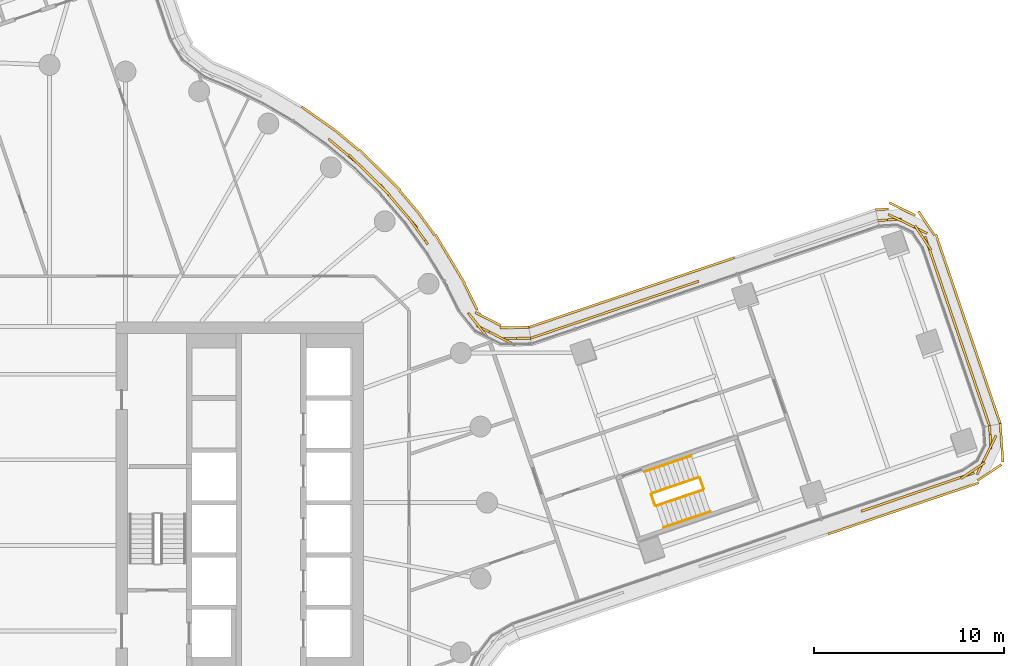
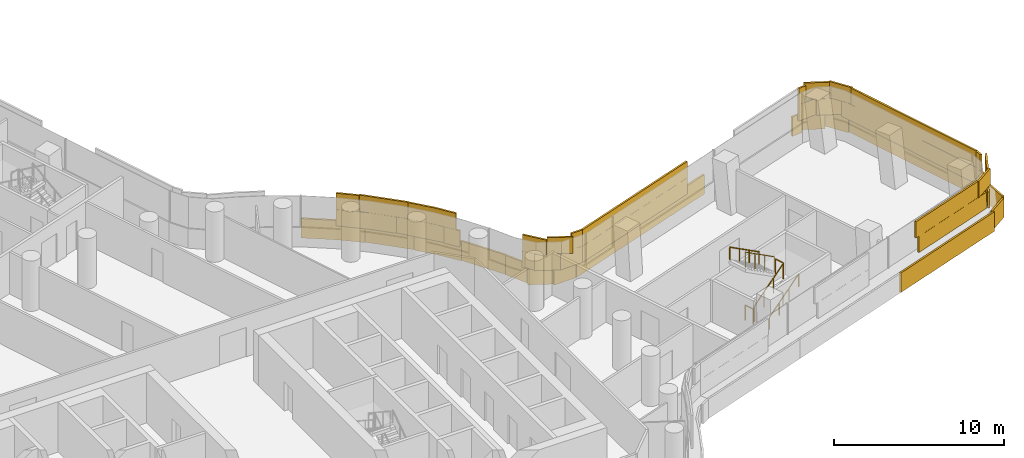
# One storey, part 27 of 29: 6 railings, 4 coverings.
"""IFC4 building model written with IfcOpenShell, lengths in metres."""

from ifc_helpers import new_model, si_unit, direction, frame, origin, origin_2d, place, context, subcontext, project, spatial, rectangle, circle, extrude, material, layer, layer_set, type_object, element, save


model = new_model("IFC4")

# Units and contexts
model_context = context("Model", 3, precision=1e-05, world=origin(), true_north=direction((0.0, 1.0)))
body_context = subcontext(model_context, "Body", "Model", "MODEL_VIEW")
ifc_project = project(units=[si_unit("LENGTHUNIT", "METRE"), si_unit("AREAUNIT", "SQUARE_METRE"), si_unit("VOLUMEUNIT", "CUBIC_METRE"), si_unit("PLANEANGLEUNIT", "RADIAN"), si_unit("MASSUNIT", "GRAM", prefix="KILO")], contexts=[model_context])

# Site, building, storey
site_placement = place(None, origin())
site = spatial("IfcSite", under=ifc_project, at=site_placement, CompositionType="ELEMENT")
building_placement = place(site_placement, origin())
building = spatial("IfcBuilding", under=site, at=building_placement, Name="Tamarind Cross Interchange Tower", CompositionType="ELEMENT")
storey_placement = place(building_placement, frame((0.0, 0.0, 102.25)))
storey = spatial("IfcBuildingStorey", under=building, at=storey_placement, Name="L24", CompositionType="ELEMENT", Elevation=102.25)

# Railings
ifc_material_1 = material(Name="Stair guard")
railing_type_1 = type_object("IfcRailingType", Name="Stair guard", PredefinedType="GUARDRAIL", material=ifc_material_1)
railing_1_placement = place(storey_placement, frame((31.883544921875, -0.173095703125, 0.17041015625)))
element("IfcRailing", 1, at=railing_1_placement, inside=storey, type_object=railing_type_1, Name="L24 ST3 stair guard 1", PredefinedType="GUARDRAIL", context=body_context, shape_type="SweptSolid", body=[
    extrude(circle(Radius=0.02392578125, at=origin_2d()), frame((0.0, 0.0, 1.076171875), z_axis=(0.791646408968, 0.269588544984, 0.548286402878), x_axis=(-0.322362268348, 0.946616378448, 0.0)), (0.0, 0.0, 1.0), 3.10888671875),
    extrude(circle(Radius=0.02099609375, at=origin_2d()), origin(), (0.0, 0.0, 1.0), 1.052001953125),
    extrude(circle(Radius=0.02099609375, at=origin_2d()), frame((0.8203125, 0.279296875, 0.568115234375)), (0.0, 0.0, 1.0), 1.052001953125),
    extrude(circle(Radius=0.02099609375, at=origin_2d()), frame((1.640869140625, 0.558837890625, 1.136474609375)), (0.0, 0.0, 1.0), 1.052001953125),
    extrude(circle(Radius=0.02099609375, at=origin_2d()), frame((2.461181640625, 0.838134765625, 1.70458984375)), (0.0, 0.0, 1.0), 1.052001953125),
])
railing_2_placement = place(storey_placement, frame((34.375732421875, 0.728515625, 1.875)))
element("IfcRailing", 2, at=railing_2_placement, inside=storey, type_object=railing_type_1, Name="L24 ST3 stair guard 2", PredefinedType="GUARDRAIL", context=body_context, shape_type="SweptSolid", body=[
    extrude(circle(Radius=0.02392578125, at=origin_2d()), frame((0.0, 0.0, 1.076171875), z_axis=(-0.322325875568, 0.946628770923, 0.0), x_axis=(-0.946628770923, -0.322325875568, 0.0)), (0.0, 0.0, 1.0), 0.599853515625),
    extrude(circle(Radius=0.02099609375, at=origin_2d()), origin(), (0.0, 0.0, 1.0), 1.052001953125),
    extrude(circle(Radius=0.02099609375, at=origin_2d()), frame((-0.193359375, 0.56787109375, 0.0)), (0.0, 0.0, 1.0), 1.052001953125),
])
railing_3_placement = place(storey_placement, frame((34.118896484375, 1.32763671875, 2.04541015625)))
element("IfcRailing", 3, at=railing_3_placement, inside=storey, type_object=railing_type_1, Name="L24 ST3 stair guard 3", PredefinedType="GUARDRAIL", context=body_context, shape_type="SweptSolid", body=[
    extrude(circle(Radius=0.02392578125, at=origin_2d()), frame((0.0, 0.0, 1.076171875), z_axis=(-0.791646408968, -0.269588544984, 0.548286402878), x_axis=(0.322362268348, -0.946616378448, 0.0)), (0.0, 0.0, 1.0), 3.10888671875),
    extrude(circle(Radius=0.02099609375, at=origin_2d()), origin(), (0.0, 0.0, 1.0), 1.052001953125),
    extrude(circle(Radius=0.02099609375, at=origin_2d()), frame((-0.8203125, -0.279296875, 0.568115234375)), (0.0, 0.0, 1.0), 1.052001953125),
    extrude(circle(Radius=0.02099609375, at=origin_2d()), frame((-1.640869140625, -0.558837890625, 1.136474609375)), (0.0, 0.0, 1.0), 1.052001953125),
    extrude(circle(Radius=0.02099609375, at=origin_2d()), frame((-2.461181640625, -0.838134765625, 1.70458984375)), (0.0, 0.0, 1.0), 1.052001953125),
])
railing_4_placement = place(storey_placement, frame((31.820068359375, -0.141845703125, 0.0)))
element("IfcRailing", 4, at=railing_4_placement, inside=storey, type_object=railing_type_1, Name="L24 ST3 stair guard 4", PredefinedType="GUARDRAIL", context=body_context, shape_type="SweptSolid", body=[
    extrude(circle(Radius=0.02392578125, at=origin_2d()), frame((0.0, 0.0, 1.076171875), z_axis=(-0.32269049844, 0.946504538931, 0.0), x_axis=(-0.946504538931, -0.32269049844, 0.0)), (0.0, 0.0, 1.0), 0.599853515625),
    extrude(circle(Radius=0.02099609375, at=origin_2d()), origin(), (0.0, 0.0, 1.0), 1.052001953125),
    extrude(circle(Radius=0.02099609375, at=origin_2d()), frame((-0.193603515625, 0.56787109375, 0.0)), (0.0, 0.0, 1.0), 1.052001953125),
])
ifc_material_2 = material(Name="Stair handrail")
railing_type_2 = type_object("IfcRailingType", Name="Stair handrail", PredefinedType="HANDRAIL", material=ifc_material_2)
railing_5_placement = place(storey_placement, frame((32.270263671875, -1.30908203125, 0.17041015625)))
element("IfcRailing", 5, at=railing_5_placement, inside=storey, type_object=railing_type_2, Name="L24 ST3 stair handrail 1", PredefinedType="HANDRAIL", context=body_context, shape_type="SweptSolid", body=[
    extrude(circle(Radius=0.02392578125, at=origin_2d()), frame((0.0, 0.0, 0.8759765625), z_axis=(0.791646408968, 0.269588544984, 0.548286402878), x_axis=(-0.322362268348, 0.946616378448, 0.0)), (0.0, 0.0, 1.0), 3.10888671875),
    extrude(circle(Radius=0.02099609375, at=origin_2d()), origin(), (0.0, 0.0, 1.0), 0.851806640625),
    extrude(circle(Radius=0.02099609375, at=origin_2d()), frame((0.8203125, 0.279296875, 0.568115234375)), (0.0, 0.0, 1.0), 0.851806640625),
    extrude(circle(Radius=0.02099609375, at=origin_2d()), frame((1.640869140625, 0.558837890625, 1.136474609375)), (0.0, 0.0, 1.0), 0.851806640625),
    extrude(circle(Radius=0.02099609375, at=origin_2d()), frame((2.461181640625, 0.838134765625, 1.70458984375)), (0.0, 0.0, 1.0), 0.851806640625),
])
railing_6_placement = place(storey_placement, frame((33.732177734375, 2.463623046875, 2.04541015625)))
element("IfcRailing", 6, at=railing_6_placement, inside=storey, type_object=railing_type_2, Name="L24 ST3 stair handrail 2", PredefinedType="HANDRAIL", context=body_context, shape_type="SweptSolid", body=[
    extrude(circle(Radius=0.02392578125, at=origin_2d()), frame((0.0, 0.0, 0.8759765625), z_axis=(-0.791646408968, -0.269588544984, 0.548286402878), x_axis=(0.322362268348, -0.946616378448, 0.0)), (0.0, 0.0, 1.0), 3.10888671875),
    extrude(circle(Radius=0.02099609375, at=origin_2d()), origin(), (0.0, 0.0, 1.0), 0.851806640625),
    extrude(circle(Radius=0.02099609375, at=origin_2d()), frame((-0.8203125, -0.279296875, 0.568115234375)), (0.0, 0.0, 1.0), 0.851806640625),
    extrude(circle(Radius=0.02099609375, at=origin_2d()), frame((-1.640869140625, -0.558837890625, 1.136474609375)), (0.0, 0.0, 1.0), 0.851806640625),
    extrude(circle(Radius=0.02099609375, at=origin_2d()), frame((-2.461181640625, -0.838134765625, 1.70458984375)), (0.0, 0.0, 1.0), 0.851806640625),
])

# Coverings
ifc_material_3 = material(Name="Terracotta", Category="masonry")
ifc_layer = layer(ifc_material_3, 0.1201171875)
ifc_layer_set = layer_set([ifc_layer], Name="Terracotta")
covering_type = type_object("IfcCoveringType", Name="Terracotta baguette screen unit", PredefinedType="MOLDING", material=ifc_layer_set)
covering_1_placement = place(storey_placement, origin())
element("IfcCovering", 7, at=covering_1_placement, inside=storey, type_object=covering_type, Name="SCR-L24-07-02", PredefinedType="MOLDING", context=body_context, shape_type="SweptSolid", body=[
    extrude(rectangle(XDim=1.52001953125, YDim=0.1201171875, at=origin_2d()), frame((43.615966796875, -0.12841796875, 1.404052734375), z_axis=(0.0, 0.0, 1.0), x_axis=(0.946613256786, 0.322371434957, 0.0)), (0.0, 0.0, 1.0), 1.1669921875),
    extrude(rectangle(XDim=1.52001953125, YDim=0.1201171875, at=origin_2d()), frame((45.035888671875, 0.35498046875, 1.404052734375), z_axis=(0.0, 0.0, 1.0), x_axis=(0.946613256786, 0.322371434957, 0.0)), (0.0, 0.0, 1.0), 1.1669921875),
    extrude(rectangle(XDim=1.52001953125, YDim=0.1201171875, at=origin_2d()), frame((46.455810546875, 0.838623046875, 1.404052734375), z_axis=(0.0, 0.0, 1.0), x_axis=(0.946613256786, 0.322371434957, 0.0)), (0.0, 0.0, 1.0), 1.1669921875),
    extrude(rectangle(XDim=1.52001953125, YDim=0.1201171875, at=origin_2d()), frame((47.875732421875, 1.322265625, 1.404052734375), z_axis=(0.0, 0.0, 1.0), x_axis=(0.946613256786, 0.322371434957, 0.0)), (0.0, 0.0, 1.0), 1.1669921875),
    extrude(rectangle(XDim=1.52001953125, YDim=0.1201171875, at=origin_2d()), frame((49.07568359375, 2.16552734375, 1.404052734375), z_axis=(0.0, 0.0, 1.0), x_axis=(0.441405625316, 0.897307680754, 0.0)), (0.0, 0.0, 1.0), 1.1669921875),
    extrude(rectangle(XDim=1.224853515625, YDim=0.1201171875, at=origin_2d()), frame((49.439453125, 3.43017578125, 1.404052734375), z_axis=(0.0, 0.0, 1.0), x_axis=(-0.06638535548, 0.997794059201, 0.0)), (0.0, 0.0, 1.0), 1.1669921875),
    extrude(rectangle(XDim=1.01953125, YDim=0.1201171875, at=origin_2d()), frame((43.13818359375, -0.291259765625, 2.5791015625), z_axis=(0.0, 0.0, 1.0), x_axis=(0.946613256786, 0.322371434957, 0.0)), (0.0, 0.0, 1.0), 1.1669921875),
    extrude(rectangle(XDim=1.52001953125, YDim=0.1201171875, at=origin_2d()), frame((44.325927734375, 0.11328125, 2.5791015625), z_axis=(0.0, 0.0, 1.0), x_axis=(0.946613256786, 0.322371434957, 0.0)), (0.0, 0.0, 1.0), 1.1669921875),
    extrude(rectangle(XDim=1.52001953125, YDim=0.1201171875, at=origin_2d()), frame((45.745849609375, 0.596923828125, 2.5791015625), z_axis=(0.0, 0.0, 1.0), x_axis=(0.946613256786, 0.322371434957, 0.0)), (0.0, 0.0, 1.0), 1.1669921875),
    extrude(rectangle(XDim=1.52001953125, YDim=0.1201171875, at=origin_2d()), frame((47.165771484375, 1.080322265625, 2.5791015625), z_axis=(0.0, 0.0, 1.0), x_axis=(0.946613256786, 0.322371434957, 0.0)), (0.0, 0.0, 1.0), 1.1669921875),
    extrude(rectangle(XDim=1.52001953125, YDim=0.1201171875, at=origin_2d()), frame((48.526611328125, 1.68359375, 2.5791015625), z_axis=(0.0, 0.0, 1.0), x_axis=(0.830922325274, 0.556388433886, 0.0)), (0.0, 0.0, 1.0), 1.1669921875),
    extrude(rectangle(XDim=1.52001953125, YDim=0.1201171875, at=origin_2d()), frame((49.40673828125, 2.838623046875, 2.5791015625), z_axis=(0.0, 0.0, 1.0), x_axis=(0.441405625316, 0.897307680754, 0.0)), (0.0, 0.0, 1.0), 1.1669921875),
    extrude(rectangle(XDim=0.474853515625, YDim=0.1201171875, at=origin_2d()), frame((49.41455078125, 3.804443359375, 2.5791015625), z_axis=(0.0, 0.0, 1.0), x_axis=(-0.06638535548, 0.997794059201, 0.0)), (0.0, 0.0, 1.0), 1.1669921875),
    extrude(rectangle(XDim=0.85693359375, YDim=0.1201171875, at=origin_2d()), frame((41.328857421875, -1.513671875, 0.00390625), z_axis=(0.0, 0.0, 1.0), x_axis=(0.946613256786, 0.322371434957, 0.0)), (0.0, 0.0, 1.0), 1.39208984375),
    extrude(rectangle(XDim=1.52001953125, YDim=0.1201171875, at=origin_2d()), frame((42.43505859375, -1.136962890625, 0.00390625), z_axis=(0.0, 0.0, 1.0), x_axis=(0.946613256786, 0.322371434957, 0.0)), (0.0, 0.0, 1.0), 1.39208984375),
    extrude(rectangle(XDim=1.52001953125, YDim=0.1201171875, at=origin_2d()), frame((43.85498046875, -0.653564453125, 0.00390625), z_axis=(0.0, 0.0, 1.0), x_axis=(0.946613256786, 0.322371434957, 0.0)), (0.0, 0.0, 1.0), 1.39208984375),
    extrude(rectangle(XDim=1.52001953125, YDim=0.1201171875, at=origin_2d()), frame((45.27490234375, -0.169921875, 0.00390625), z_axis=(0.0, 0.0, 1.0), x_axis=(0.946613256786, 0.322371434957, 0.0)), (0.0, 0.0, 1.0), 1.39208984375),
    extrude(rectangle(XDim=1.52001953125, YDim=0.1201171875, at=origin_2d()), frame((46.69482421875, 0.313720703125, 0.00390625), z_axis=(0.0, 0.0, 1.0), x_axis=(0.946613256786, 0.322371434957, 0.0)), (0.0, 0.0, 1.0), 1.39208984375),
    extrude(rectangle(XDim=1.52001953125, YDim=0.1201171875, at=origin_2d()), frame((48.11474609375, 0.797119140625, 0.00390625), z_axis=(0.0, 0.0, 1.0), x_axis=(0.946613256786, 0.322371434957, 0.0)), (0.0, 0.0, 1.0), 1.39208984375),
    extrude(rectangle(XDim=1.52001953125, YDim=0.1201171875, at=origin_2d()), frame((49.390869140625, 1.571533203125, 0.00390625), z_axis=(0.0, 0.0, 1.0), x_axis=(0.830922325274, 0.556388433886, 0.0)), (0.0, 0.0, 1.0), 1.39208984375),
    extrude(rectangle(XDim=1.52001953125, YDim=0.1201171875, at=origin_2d()), frame((50.0498046875, 2.90283203125, 0.00390625), z_axis=(0.0, 0.0, 1.0), x_axis=(-0.06638535548, 0.997794059201, 0.0)), (0.0, 0.0, 1.0), 1.39208984375),
    extrude(rectangle(XDim=0.509765625, YDim=0.1201171875, at=origin_2d()), frame((49.983642578125, 3.8955078125, 0.00390625), z_axis=(0.0, 0.0, 1.0), x_axis=(-0.06638535548, 0.997794059201, 0.0)), (0.0, 0.0, 1.0), 1.39208984375),
])
covering_2_placement = place(storey_placement, origin())
element("IfcCovering", 8, at=covering_2_placement, inside=storey, type_object=covering_type, Name="SCR-L24-08-00", PredefinedType="MOLDING", context=body_context, shape_type="SweptSolid", body=[
    extrude(rectangle(XDim=1.510009765625, YDim=0.1201171875, at=origin_2d()), frame((49.1572265625, 4.746337890625, 1.404052734375), z_axis=(0.0, 0.0, 1.0), x_axis=(-0.322371434957, 0.946613256786, 0.0)), (0.0, 0.0, 1.0), 1.1669921875),
    extrude(rectangle(XDim=1.52001953125, YDim=0.1201171875, at=origin_2d()), frame((48.673828125, 6.166259765625, 1.404052734375), z_axis=(0.0, 0.0, 1.0), x_axis=(-0.322371434957, 0.946613256786, 0.0)), (0.0, 0.0, 1.0), 1.1669921875),
    extrude(rectangle(XDim=1.52001953125, YDim=0.1201171875, at=origin_2d()), frame((48.190185546875, 7.586181640625, 1.404052734375), z_axis=(0.0, 0.0, 1.0), x_axis=(-0.322371434957, 0.946613256786, 0.0)), (0.0, 0.0, 1.0), 1.1669921875),
    extrude(rectangle(XDim=1.52001953125, YDim=0.1201171875, at=origin_2d()), frame((47.70654296875, 9.006103515625, 1.404052734375), z_axis=(0.0, 0.0, 1.0), x_axis=(-0.322371434957, 0.946613256786, 0.0)), (0.0, 0.0, 1.0), 1.1669921875),
    extrude(rectangle(XDim=1.52001953125, YDim=0.1201171875, at=origin_2d()), frame((47.22314453125, 10.426025390625, 1.404052734375), z_axis=(0.0, 0.0, 1.0), x_axis=(-0.322371434957, 0.946613256786, 0.0)), (0.0, 0.0, 1.0), 1.1669921875),
    extrude(rectangle(XDim=1.52001953125, YDim=0.1201171875, at=origin_2d()), frame((46.739501953125, 11.845947265625, 1.404052734375), z_axis=(0.0, 0.0, 1.0), x_axis=(-0.322371434957, 0.946613256786, 0.0)), (0.0, 0.0, 1.0), 1.1669921875),
    extrude(rectangle(XDim=1.52001953125, YDim=0.1201171875, at=origin_2d()), frame((46.255859375, 13.265869140625, 1.404052734375), z_axis=(0.0, 0.0, 1.0), x_axis=(-0.322371434957, 0.946613256786, 0.0)), (0.0, 0.0, 1.0), 1.1669921875),
    extrude(rectangle(XDim=1.52001953125, YDim=0.1201171875, at=origin_2d()), frame((45.4326171875, 14.4833984375, 1.404052734375), z_axis=(0.0, 0.0, 1.0), x_axis=(-0.897307680754, 0.441405625316, 0.0)), (0.0, 0.0, 1.0), 1.1669921875),
    extrude(rectangle(XDim=1.259521484375, YDim=0.1201171875, at=origin_2d()), frame((44.154052734375, 14.863525390625, 1.404052734375), z_axis=(0.0, 0.0, 1.0), x_axis=(-0.997794059201, -0.06638535548, 0.0)), (0.0, 0.0, 1.0), 1.1669921875),
    extrude(rectangle(XDim=0.760009765625, YDim=0.1201171875, at=origin_2d()), frame((49.278076171875, 4.391357421875, 2.5791015625), z_axis=(0.0, 0.0, 1.0), x_axis=(-0.322371434957, 0.946613256786, 0.0)), (0.0, 0.0, 1.0), 1.1669921875),
    extrude(rectangle(XDim=1.52001953125, YDim=0.1201171875, at=origin_2d()), frame((48.91552734375, 5.456298828125, 2.5791015625), z_axis=(0.0, 0.0, 1.0), x_axis=(-0.322371434957, 0.946613256786, 0.0)), (0.0, 0.0, 1.0), 1.1669921875),
    extrude(rectangle(XDim=1.52001953125, YDim=0.1201171875, at=origin_2d()), frame((48.431884765625, 6.876220703125, 2.5791015625), z_axis=(0.0, 0.0, 1.0), x_axis=(-0.322371434957, 0.946613256786, 0.0)), (0.0, 0.0, 1.0), 1.1669921875),
    extrude(rectangle(XDim=1.52001953125, YDim=0.1201171875, at=origin_2d()), frame((47.948486328125, 8.296142578125, 2.5791015625), z_axis=(0.0, 0.0, 1.0), x_axis=(-0.322371434957, 0.946613256786, 0.0)), (0.0, 0.0, 1.0), 1.1669921875),
    extrude(rectangle(XDim=1.52001953125, YDim=0.1201171875, at=origin_2d()), frame((47.46484375, 9.716064453125, 2.5791015625), z_axis=(0.0, 0.0, 1.0), x_axis=(-0.322371434957, 0.946613256786, 0.0)), (0.0, 0.0, 1.0), 1.1669921875),
    extrude(rectangle(XDim=1.52001953125, YDim=0.1201171875, at=origin_2d()), frame((46.981201171875, 11.135986328125, 2.5791015625), z_axis=(0.0, 0.0, 1.0), x_axis=(-0.322371434957, 0.946613256786, 0.0)), (0.0, 0.0, 1.0), 1.1669921875),
    extrude(rectangle(XDim=1.52001953125, YDim=0.1201171875, at=origin_2d()), frame((46.497802734375, 12.555908203125, 2.5791015625), z_axis=(0.0, 0.0, 1.0), x_axis=(-0.322371434957, 0.946613256786, 0.0)), (0.0, 0.0, 1.0), 1.1669921875),
    extrude(rectangle(XDim=1.52001953125, YDim=0.1201171875, at=origin_2d()), frame((45.90283203125, 13.920654296875, 2.5791015625), z_axis=(0.0, 0.0, 1.0), x_axis=(-0.556388433886, 0.830922325274, 0.0)), (0.0, 0.0, 1.0), 1.1669921875),
    extrude(rectangle(XDim=1.52001953125, YDim=0.1201171875, at=origin_2d()), frame((44.759521484375, 14.814453125, 2.5791015625), z_axis=(0.0, 0.0, 1.0), x_axis=(-0.897307680754, 0.441405625316, 0.0)), (0.0, 0.0, 1.0), 1.1669921875),
    extrude(rectangle(XDim=0.509521484375, YDim=0.1201171875, at=origin_2d()), frame((43.780029296875, 14.838623046875, 2.5791015625), z_axis=(0.0, 0.0, 1.0), x_axis=(-0.997794059201, -0.06638535548, 0.0)), (0.0, 0.0, 1.0), 1.1669921875),
    extrude(rectangle(XDim=1.510009765625, YDim=0.1201171875, at=origin_2d()), frame((49.723388671875, 4.864501953125, 0.00390625), z_axis=(0.0, 0.0, 1.0), x_axis=(-0.322371434957, 0.946613256786, 0.0)), (0.0, 0.0, 1.0), 1.39208984375),
    extrude(rectangle(XDim=1.52001953125, YDim=0.1201171875, at=origin_2d()), frame((49.241455078125, 6.27978515625, 0.00390625), z_axis=(0.0, 0.0, 1.0), x_axis=(-0.322371434957, 0.946613256786, 0.0)), (0.0, 0.0, 1.0), 1.39208984375),
    extrude(rectangle(XDim=1.52001953125, YDim=0.1201171875, at=origin_2d()), frame((48.7578125, 7.69970703125, 0.00390625), z_axis=(0.0, 0.0, 1.0), x_axis=(-0.322371434957, 0.946613256786, 0.0)), (0.0, 0.0, 1.0), 1.39208984375),
    extrude(rectangle(XDim=1.52001953125, YDim=0.1201171875, at=origin_2d()), frame((48.2744140625, 9.11962890625, 0.00390625), z_axis=(0.0, 0.0, 1.0), x_axis=(-0.322371434957, 0.946613256786, 0.0)), (0.0, 0.0, 1.0), 1.39208984375),
    extrude(rectangle(XDim=1.52001953125, YDim=0.1201171875, at=origin_2d()), frame((47.790771484375, 10.53955078125, 0.00390625), z_axis=(0.0, 0.0, 1.0), x_axis=(-0.322371434957, 0.946613256786, 0.0)), (0.0, 0.0, 1.0), 1.39208984375),
    extrude(rectangle(XDim=1.52001953125, YDim=0.1201171875, at=origin_2d()), frame((47.30712890625, 11.95947265625, 0.00390625), z_axis=(0.0, 0.0, 1.0), x_axis=(-0.322371434957, 0.946613256786, 0.0)), (0.0, 0.0, 1.0), 1.39208984375),
    extrude(rectangle(XDim=1.52001953125, YDim=0.1201171875, at=origin_2d()), frame((46.82373046875, 13.37939453125, 0.00390625), z_axis=(0.0, 0.0, 1.0), x_axis=(-0.322371434957, 0.946613256786, 0.0)), (0.0, 0.0, 1.0), 1.39208984375),
    extrude(rectangle(XDim=1.52001953125, YDim=0.1201171875, at=origin_2d()), frame((46.088623046875, 14.6748046875, 0.00390625), z_axis=(0.0, 0.0, 1.0), x_axis=(-0.556388433886, 0.830922325274, 0.0)), (0.0, 0.0, 1.0), 1.39208984375),
    extrude(rectangle(XDim=1.52001953125, YDim=0.1201171875, at=origin_2d()), frame((44.8193359375, 15.4248046875, 0.00390625), z_axis=(0.0, 0.0, 1.0), x_axis=(-0.897307680754, 0.441405625316, 0.0)), (0.0, 0.0, 1.0), 1.39208984375),
    extrude(rectangle(XDim=0.6767578125, YDim=0.1201171875, at=origin_2d()), frame((43.755126953125, 15.412353515625, 0.00390625), z_axis=(0.0, 0.0, 1.0), x_axis=(-0.997794059201, -0.06638535548, 0.0)), (0.0, 0.0, 1.0), 1.39208984375),
])
covering_3_placement = place(storey_placement, origin())
element("IfcCovering", 9, at=covering_3_placement, inside=storey, type_object=covering_type, Name="SCR-L24-09-01", PredefinedType="MOLDING", context=body_context, shape_type="SweptSolid", body=[
    extrude(rectangle(XDim=0.5634765625, YDim=0.1201171875, at=origin_2d()), frame((33.848388671875, 11.541015625, 1.404052734375), z_axis=(0.0, 0.0, 1.0), x_axis=(-0.947092988773, -0.320959297445, 0.0)), (0.0, 0.0, 1.0), 1.1669921875),
    extrude(rectangle(XDim=1.52001953125, YDim=0.1201171875, at=origin_2d()), frame((32.8759765625, 11.21142578125, 1.404052734375), z_axis=(0.0, 0.0, 1.0), x_axis=(-0.947092988773, -0.320959297445, 0.0)), (0.0, 0.0, 1.0), 1.1669921875),
    extrude(rectangle(XDim=1.52001953125, YDim=0.1201171875, at=origin_2d()), frame((31.455322265625, 10.72998046875, 1.404052734375), z_axis=(0.0, 0.0, 1.0), x_axis=(-0.947092988773, -0.320959297445, 0.0)), (0.0, 0.0, 1.0), 1.1669921875),
    extrude(rectangle(XDim=1.52001953125, YDim=0.1201171875, at=origin_2d()), frame((30.03466796875, 10.24853515625, 1.404052734375), z_axis=(0.0, 0.0, 1.0), x_axis=(-0.947092988773, -0.320959297445, 0.0)), (0.0, 0.0, 1.0), 1.1669921875),
    extrude(rectangle(XDim=1.52001953125, YDim=0.1201171875, at=origin_2d()), frame((28.614013671875, 9.76708984375, 1.404052734375), z_axis=(0.0, 0.0, 1.0), x_axis=(-0.947092988773, -0.320959297445, 0.0)), (0.0, 0.0, 1.0), 1.1669921875),
    extrude(rectangle(XDim=1.52001953125, YDim=0.1201171875, at=origin_2d()), frame((27.193359375, 9.28564453125, 1.404052734375), z_axis=(0.0, 0.0, 1.0), x_axis=(-0.947092988773, -0.320959297445, 0.0)), (0.0, 0.0, 1.0), 1.1669921875),
    extrude(rectangle(XDim=1.270751953125, YDim=0.1201171875, at=origin_2d()), frame((25.885986328125, 8.842529296875, 1.404052734375), z_axis=(0.0, 0.0, 1.0), x_axis=(-0.947092988773, -0.320959297445, 0.0)), (0.0, 0.0, 1.0), 1.1669921875),
    extrude(rectangle(XDim=1.3134765625, YDim=0.1201171875, at=origin_2d()), frame((33.4931640625, 11.420654296875, 2.5791015625), z_axis=(0.0, 0.0, 1.0), x_axis=(-0.947092988773, -0.320959297445, 0.0)), (0.0, 0.0, 1.0), 1.1669921875),
    extrude(rectangle(XDim=1.52001953125, YDim=0.1201171875, at=origin_2d()), frame((32.16552734375, 10.970703125, 2.5791015625), z_axis=(0.0, 0.0, 1.0), x_axis=(-0.947092988773, -0.320959297445, 0.0)), (0.0, 0.0, 1.0), 1.1669921875),
    extrude(rectangle(XDim=1.52001953125, YDim=0.1201171875, at=origin_2d()), frame((30.744873046875, 10.4892578125, 2.5791015625), z_axis=(0.0, 0.0, 1.0), x_axis=(-0.947092988773, -0.320959297445, 0.0)), (0.0, 0.0, 1.0), 1.1669921875),
    extrude(rectangle(XDim=1.52001953125, YDim=0.1201171875, at=origin_2d()), frame((29.32421875, 10.0078125, 2.5791015625), z_axis=(0.0, 0.0, 1.0), x_axis=(-0.947092988773, -0.320959297445, 0.0)), (0.0, 0.0, 1.0), 1.1669921875),
    extrude(rectangle(XDim=1.52001953125, YDim=0.1201171875, at=origin_2d()), frame((27.903564453125, 9.5263671875, 2.5791015625), z_axis=(0.0, 0.0, 1.0), x_axis=(-0.947092988773, -0.320959297445, 0.0)), (0.0, 0.0, 1.0), 1.1669921875),
    extrude(rectangle(XDim=1.52001953125, YDim=0.1201171875, at=origin_2d()), frame((26.48291015625, 9.044921875, 2.5791015625), z_axis=(0.0, 0.0, 1.0), x_axis=(-0.947092988773, -0.320959297445, 0.0)), (0.0, 0.0, 1.0), 1.1669921875),
    extrude(rectangle(XDim=0.520751953125, YDim=0.1201171875, at=origin_2d()), frame((25.53076171875, 8.72216796875, 2.5791015625), z_axis=(0.0, 0.0, 1.0), x_axis=(-0.947092988773, -0.320959297445, 0.0)), (0.0, 0.0, 1.0), 1.1669921875),
    extrude(rectangle(XDim=1.169677734375, YDim=0.1201171875, at=origin_2d()), frame((35.438232421875, 12.685791015625, 0.00390625), z_axis=(0.0, 0.0, 1.0), x_axis=(-0.947092988773, -0.320959297445, 0.0)), (0.0, 0.0, 1.0), 1.39208984375),
    extrude(rectangle(XDim=1.52001953125, YDim=0.1201171875, at=origin_2d()), frame((34.183349609375, 12.260498046875, 0.00390625), z_axis=(0.0, 0.0, 1.0), x_axis=(-0.947092988773, -0.320959297445, 0.0)), (0.0, 0.0, 1.0), 1.39208984375),
    extrude(rectangle(XDim=1.52001953125, YDim=0.1201171875, at=origin_2d()), frame((32.7626953125, 11.779052734375, 0.00390625), z_axis=(0.0, 0.0, 1.0), x_axis=(-0.947092988773, -0.320959297445, 0.0)), (0.0, 0.0, 1.0), 1.39208984375),
    extrude(rectangle(XDim=1.52001953125, YDim=0.1201171875, at=origin_2d()), frame((31.342041015625, 11.297607421875, 0.00390625), z_axis=(0.0, 0.0, 1.0), x_axis=(-0.947092988773, -0.320959297445, 0.0)), (0.0, 0.0, 1.0), 1.39208984375),
    extrude(rectangle(XDim=1.52001953125, YDim=0.1201171875, at=origin_2d()), frame((29.92138671875, 10.816162109375, 0.00390625), z_axis=(0.0, 0.0, 1.0), x_axis=(-0.947092988773, -0.320959297445, 0.0)), (0.0, 0.0, 1.0), 1.39208984375),
    extrude(rectangle(XDim=1.52001953125, YDim=0.1201171875, at=origin_2d()), frame((28.5009765625, 10.334716796875, 0.00390625), z_axis=(0.0, 0.0, 1.0), x_axis=(-0.947092988773, -0.320959297445, 0.0)), (0.0, 0.0, 1.0), 1.39208984375),
    extrude(rectangle(XDim=1.52001953125, YDim=0.1201171875, at=origin_2d()), frame((27.080322265625, 9.853271484375, 0.00390625), z_axis=(0.0, 0.0, 1.0), x_axis=(-0.947092988773, -0.320959297445, 0.0)), (0.0, 0.0, 1.0), 1.39208984375),
    extrude(rectangle(XDim=1.25537109375, YDim=0.1201171875, at=origin_2d()), frame((25.784912109375, 9.414306640625, 0.00390625), z_axis=(0.0, 0.0, 1.0), x_axis=(-0.947092988773, -0.320959297445, 0.0)), (0.0, 0.0, 1.0), 1.39208984375),
])
covering_4_placement = place(storey_placement, origin())
element("IfcCovering", 10, at=covering_4_placement, inside=storey, type_object=covering_type, Name="SCR-L24-10-00", PredefinedType="MOLDING", context=body_context, shape_type="SweptSolid", body=[
    extrude(rectangle(XDim=1.510009765625, YDim=0.1201171875, at=origin_2d()), frame((24.5390625, 8.629638671875, 1.404052734375), z_axis=(0.0, 0.0, 1.0), x_axis=(-0.999899714633, -0.014161944655, 0.0)), (0.0, 0.0, 1.0), 1.1669921875),
    extrude(rectangle(XDim=1.52001953125, YDim=0.1201171875, at=origin_2d()), frame((23.12255859375, 8.96484375, 1.404052734375), z_axis=(0.0, 0.0, 1.0), x_axis=(-0.889932045566, 0.456093142104, 0.0)), (0.0, 0.0, 1.0), 1.1669921875),
    extrude(rectangle(XDim=0.79638671875, YDim=0.1201171875, at=origin_2d()), frame((22.247802734375, 9.660888671875, 1.404052734375), z_axis=(0.0, 0.0, 1.0), x_axis=(-0.623665820485, 0.781691079877, 0.0)), (0.0, 0.0, 1.0), 1.1669921875),
    extrude(rectangle(XDim=1.0234375, YDim=0.1201171875, at=origin_2d()), frame((19.58056640625, 13.9912109375, 1.404052734375), z_axis=(0.0, 0.0, 1.0), x_axis=(-0.584573890505, 0.811340475102, 0.0)), (0.0, 0.0, 1.0), 1.1669921875),
    extrude(rectangle(XDim=1.52001953125, YDim=0.1201171875, at=origin_2d()), frame((18.835205078125, 15.00244140625, 1.404052734375), z_axis=(0.0, 0.0, 1.0), x_axis=(-0.64957723968, 0.760295606781, 0.0)), (0.0, 0.0, 1.0), 1.1669921875),
    extrude(rectangle(XDim=1.52001953125, YDim=0.1201171875, at=origin_2d()), frame((17.86083984375, 16.142822265625, 1.404052734375), z_axis=(0.0, 0.0, 1.0), x_axis=(-0.64957723968, 0.760295606781, 0.0)), (0.0, 0.0, 1.0), 1.1669921875),
    extrude(rectangle(XDim=1.52001953125, YDim=0.1201171875, at=origin_2d()), frame((16.815185546875, 17.217041015625, 1.404052734375), z_axis=(0.0, 0.0, 1.0), x_axis=(-0.710143317658, 0.704057148523, 0.0)), (0.0, 0.0, 1.0), 1.1669921875),
    extrude(rectangle(XDim=1.52001953125, YDim=0.1201171875, at=origin_2d()), frame((15.711669921875, 18.2314453125, 1.404052734375), z_axis=(0.0, 0.0, 1.0), x_axis=(-0.765858396687, 0.643009266048, 0.0)), (0.0, 0.0, 1.0), 1.1669921875),
    extrude(rectangle(XDim=0.622314453125, YDim=0.1201171875, at=origin_2d()), frame((14.90283203125, 18.910400390625, 1.404052734375), z_axis=(0.0, 0.0, 1.0), x_axis=(-0.765858396687, 0.643009266048, 0.0)), (0.0, 0.0, 1.0), 1.1669921875),
    extrude(rectangle(XDim=0.760009765625, YDim=0.1201171875, at=origin_2d()), frame((24.9140625, 8.635009765625, 2.5791015625), z_axis=(0.0, 0.0, 1.0), x_axis=(-0.999899714633, -0.014161944655, 0.0)), (0.0, 0.0, 1.0), 1.1669921875),
    extrude(rectangle(XDim=1.52001953125, YDim=0.1201171875, at=origin_2d()), frame((23.7900390625, 8.622802734375, 2.5791015625), z_axis=(0.0, 0.0, 1.0), x_axis=(-0.889932045566, 0.456093142104, 0.0)), (0.0, 0.0, 1.0), 1.1669921875),
    extrude(rectangle(XDim=1.52001953125, YDim=0.1201171875, at=origin_2d()), frame((22.4931640625, 9.353515625, 2.5791015625), z_axis=(0.0, 0.0, 1.0), x_axis=(-0.623665820485, 0.781691079877, 0.0)), (0.0, 0.0, 1.0), 1.1669921875),
    extrude(rectangle(XDim=1.52001953125, YDim=0.1201171875, at=origin_2d()), frame((19.284423828125, 14.40234375, 2.5791015625), z_axis=(0.0, 0.0, 1.0), x_axis=(-0.584573890505, 0.811340475102, 0.0)), (0.0, 0.0, 1.0), 1.1669921875),
    extrude(rectangle(XDim=1.52001953125, YDim=0.1201171875, at=origin_2d()), frame((18.347900390625, 15.572509765625, 2.5791015625), z_axis=(0.0, 0.0, 1.0), x_axis=(-0.64957723968, 0.760295606781, 0.0)), (0.0, 0.0, 1.0), 1.1669921875),
    extrude(rectangle(XDim=1.52001953125, YDim=0.1201171875, at=origin_2d()), frame((17.34765625, 16.68896484375, 2.5791015625), z_axis=(0.0, 0.0, 1.0), x_axis=(-0.710143317658, 0.704057148523, 0.0)), (0.0, 0.0, 1.0), 1.1669921875),
    extrude(rectangle(XDim=1.52001953125, YDim=0.1201171875, at=origin_2d()), frame((16.282470703125, 17.7451171875, 2.5791015625), z_axis=(0.0, 0.0, 1.0), x_axis=(-0.710143317658, 0.704057148523, 0.0)), (0.0, 0.0, 1.0), 1.1669921875),
    extrude(rectangle(XDim=1.372314453125, YDim=0.1201171875, at=origin_2d()), frame((15.190185546875, 18.66943359375, 2.5791015625), z_axis=(0.0, 0.0, 1.0), x_axis=(-0.765858396687, 0.643009266048, 0.0)), (0.0, 0.0, 1.0), 1.1669921875),
    extrude(rectangle(XDim=1.510009765625, YDim=0.1201171875, at=origin_2d()), frame((24.435546875, 9.2021484375, 0.00390625), z_axis=(0.0, 0.0, 1.0), x_axis=(-0.999899714633, -0.014161944655, 0.0)), (0.0, 0.0, 1.0), 1.39208984375),
    extrude(rectangle(XDim=1.52001953125, YDim=0.1201171875, at=origin_2d()), frame((23.049560546875, 9.647216796875, 0.00390625), z_axis=(0.0, 0.0, 1.0), x_axis=(-0.889932045566, 0.456093142104, 0.0)), (0.0, 0.0, 1.0), 1.39208984375),
    extrude(rectangle(XDim=1.52001953125, YDim=0.1201171875, at=origin_2d()), frame((22.13916015625, 10.81884765625, 0.00390625), z_axis=(0.0, 0.0, 1.0), x_axis=(-0.444393054967, 0.895831910961, 0.0)), (0.0, 0.0, 1.0), 1.39208984375),
    extrude(rectangle(XDim=1.52001953125, YDim=0.1201171875, at=origin_2d()), frame((21.4462890625, 12.148193359375, 0.00390625), z_axis=(0.0, 0.0, 1.0), x_axis=(-0.515577308909, 0.856843065292, 0.0)), (0.0, 0.0, 1.0), 1.39208984375),
    extrude(rectangle(XDim=1.52001953125, YDim=0.1201171875, at=origin_2d()), frame((20.6728515625, 13.43359375, 0.00390625), z_axis=(0.0, 0.0, 1.0), x_axis=(-0.515577308909, 0.856843065292, 0.0)), (0.0, 0.0, 1.0), 1.39208984375),
    extrude(rectangle(XDim=1.52001953125, YDim=0.1201171875, at=origin_2d()), frame((19.8076171875, 14.658203125, 0.00390625), z_axis=(0.0, 0.0, 1.0), x_axis=(-0.584573890505, 0.811340475102, 0.0)), (0.0, 0.0, 1.0), 1.39208984375),
    extrude(rectangle(XDim=1.52001953125, YDim=0.1201171875, at=origin_2d()), frame((18.879150390625, 15.83447265625, 0.00390625), z_axis=(0.0, 0.0, 1.0), x_axis=(-0.64957723968, 0.760295606781, 0.0)), (0.0, 0.0, 1.0), 1.39208984375),
    extrude(rectangle(XDim=1.52001953125, YDim=0.1201171875, at=origin_2d()), frame((17.88916015625, 16.960693359375, 0.00390625), z_axis=(0.0, 0.0, 1.0), x_axis=(-0.710143317658, 0.704057148523, 0.0)), (0.0, 0.0, 1.0), 1.39208984375),
    extrude(rectangle(XDim=1.52001953125, YDim=0.1201171875, at=origin_2d()), frame((16.823974609375, 18.0166015625, 0.00390625), z_axis=(0.0, 0.0, 1.0), x_axis=(-0.710143317658, 0.704057148523, 0.0)), (0.0, 0.0, 1.0), 1.39208984375),
    extrude(rectangle(XDim=1.52001953125, YDim=0.1201171875, at=origin_2d()), frame((15.69091796875, 18.998291015625, 0.00390625), z_axis=(0.0, 0.0, 1.0), x_axis=(-0.765858396687, 0.643009266048, 0.0)), (0.0, 0.0, 1.0), 1.39208984375),
    extrude(rectangle(XDim=1.52001953125, YDim=0.1201171875, at=origin_2d()), frame((14.5078125, 19.91845703125, 0.00390625), z_axis=(0.0, 0.0, 1.0), x_axis=(-0.816341886298, 0.577568978284, 0.0)), (0.0, 0.0, 1.0), 1.39208984375),
    extrude(rectangle(XDim=0.788330078125, YDim=0.1201171875, at=origin_2d()), frame((13.58203125, 20.573486328125, 0.00390625), z_axis=(0.0, 0.0, 1.0), x_axis=(-0.816341886298, 0.577568978284, 0.0)), (0.0, 0.0, 1.0), 1.39208984375),
])

save(model, "model.ifc")
